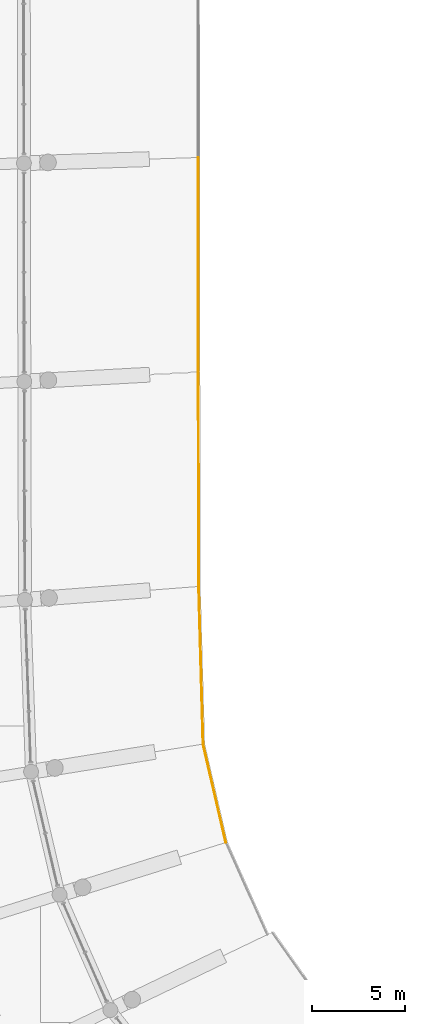
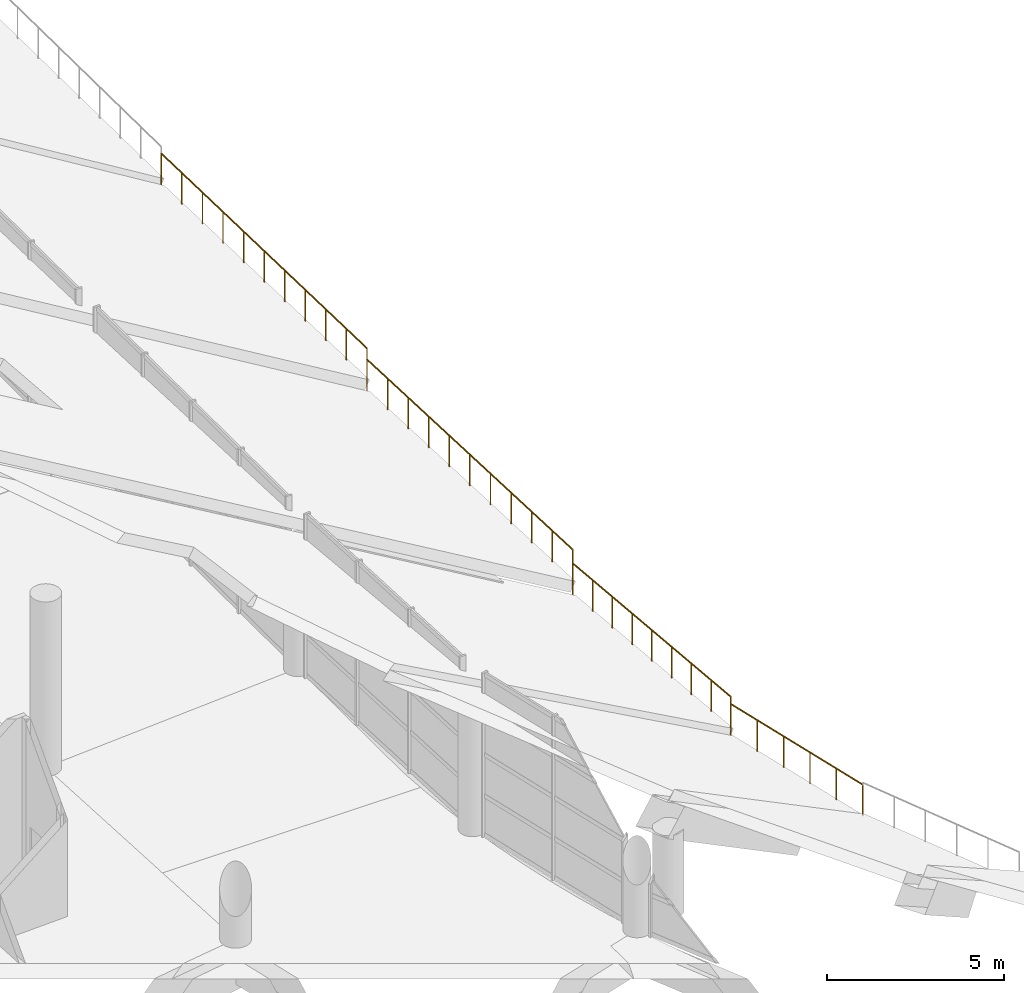
# One storey, part 211 of 249: 4 railings.
"""IFC4 building model written with IfcOpenShell, lengths in metres."""

from ifc_helpers import new_model, si_unit, direction, frame, origin, origin_2d, place, context, subcontext, project, spatial, circle, extrude, material, type_object, element, save


model = new_model("IFC4")

# Units and contexts
model_context = context("Model", 3, precision=1e-05, world=origin(), true_north=direction((0.0, 1.0)))
body_context = subcontext(model_context, "Body", "Model", "MODEL_VIEW")
ifc_project = project(units=[si_unit("LENGTHUNIT", "METRE"), si_unit("AREAUNIT", "SQUARE_METRE"), si_unit("VOLUMEUNIT", "CUBIC_METRE"), si_unit("PLANEANGLEUNIT", "RADIAN"), si_unit("MASSUNIT", "GRAM", prefix="KILO")], contexts=[model_context])

# Site, building, storey
site_placement = place(None, origin())
site = spatial("IfcSite", under=ifc_project, at=site_placement, CompositionType="ELEMENT")
building_placement = place(site_placement, origin())
building = spatial("IfcBuilding", under=site, at=building_placement, Name="Meseta Stadium", CompositionType="ELEMENT")
storey_placement = place(building_placement, frame((0.0, 0.0, 12.0)))
storey = spatial("IfcBuildingStorey", under=building, at=storey_placement, Name="L02", CompositionType="ELEMENT", Elevation=12.0)

# Railings
ifc_material = material(Name="Steel S355", Category="steel")
railing_type = type_object("IfcRailingType", Name="Stand edge guard 1100", PredefinedType="GUARDRAIL", material=ifc_material)
railing_1_placement = place(storey_placement, frame((-55.4921875, -17.351806640625, -1.091552734375)))
element("IfcRailing", 1, at=railing_1_placement, inside=storey, type_object=railing_type, Name="Stand upper tier front guard bay 35", PredefinedType="GUARDRAIL", context=body_context, shape_type="SweptSolid", body=[
    extrude(circle(Radius=0.02490234375, at=origin_2d()), frame((0.0, 0.0, 1.0751953125), z_axis=(0.00120266259, -0.999644705221, 0.026627371733), x_axis=(0.999999276288, 0.001203089171, 0.0)), (0.0, 0.0, 1.0), 11.571044921875),
    extrude(circle(Radius=0.02001953125, at=origin_2d()), origin(), (0.0, 0.0, 1.0), 1.050048828125),
    extrude(circle(Radius=0.02001953125, at=origin_2d()), frame((0.00146484375, -1.15673828125, 0.03076171875)), (0.0, 0.0, 1.0), 1.050048828125),
    extrude(circle(Radius=0.02001953125, at=origin_2d()), frame((0.002685546875, -2.3134765625, 0.0615234375)), (0.0, 0.0, 1.0), 1.050048828125),
    extrude(circle(Radius=0.02001953125, at=origin_2d()), frame((0.004150390625, -3.469970703125, 0.092529296875)), (0.0, 0.0, 1.0), 1.050048828125),
    extrude(circle(Radius=0.02001953125, at=origin_2d()), frame((0.005615234375, -4.626708984375, 0.123291015625)), (0.0, 0.0, 1.0), 1.050048828125),
    extrude(circle(Radius=0.02001953125, at=origin_2d()), frame((0.0068359375, -5.783447265625, 0.154052734375)), (0.0, 0.0, 1.0), 1.050048828125),
    extrude(circle(Radius=0.02001953125, at=origin_2d()), frame((0.00830078125, -6.940185546875, 0.184814453125)), (0.0, 0.0, 1.0), 1.050048828125),
    extrude(circle(Radius=0.02001953125, at=origin_2d()), frame((0.009765625, -8.096923828125, 0.215576171875)), (0.0, 0.0, 1.0), 1.050048828125),
    extrude(circle(Radius=0.02001953125, at=origin_2d()), frame((0.01123046875, -9.25341796875, 0.24658203125)), (0.0, 0.0, 1.0), 1.050048828125),
    extrude(circle(Radius=0.02001953125, at=origin_2d()), frame((0.012451171875, -10.41015625, 0.27734375)), (0.0, 0.0, 1.0), 1.050048828125),
    extrude(circle(Radius=0.02001953125, at=origin_2d()), frame((0.013916015625, -11.56689453125, 0.30810546875)), (0.0, 0.0, 1.0), 1.050048828125),
])
railing_2_placement = place(storey_placement, frame((-55.478271484375, -28.918701171875, -1.168212890625)))
element("IfcRailing", 2, at=railing_2_placement, inside=storey, type_object=railing_type, Name="Stand upper tier front guard bay 36", PredefinedType="GUARDRAIL", context=body_context, shape_type="SweptSolid", body=[
    extrude(circle(Radius=0.02490234375, at=origin_2d()), frame((0.0, 0.0, 1.0751953125), z_axis=(0.001792804063, -0.999203525403, 0.039863525626), x_axis=(0.999998390368, 0.001794230236, 0.0)), (0.0, 0.0, 1.0), 11.5751953125),
    extrude(circle(Radius=0.02001953125, at=origin_2d()), origin(), (0.0, 0.0, 1.0), 1.050048828125),
    extrude(circle(Radius=0.02001953125, at=origin_2d()), frame((0.001953125, -1.156494140625, 0.046142578125)), (0.0, 0.0, 1.0), 1.050048828125),
    extrude(circle(Radius=0.02001953125, at=origin_2d()), frame((0.004150390625, -2.313232421875, 0.09228515625)), (0.0, 0.0, 1.0), 1.050048828125),
    extrude(circle(Radius=0.02001953125, at=origin_2d()), frame((0.00634765625, -3.4697265625, 0.138427734375)), (0.0, 0.0, 1.0), 1.050048828125),
    extrude(circle(Radius=0.02001953125, at=origin_2d()), frame((0.00830078125, -4.62646484375, 0.1845703125)), (0.0, 0.0, 1.0), 1.050048828125),
    extrude(circle(Radius=0.02001953125, at=origin_2d()), frame((0.01025390625, -5.782958984375, 0.230712890625)), (0.0, 0.0, 1.0), 1.050048828125),
    extrude(circle(Radius=0.02001953125, at=origin_2d()), frame((0.012451171875, -6.939453125, 0.27685546875)), (0.0, 0.0, 1.0), 1.050048828125),
    extrude(circle(Radius=0.02001953125, at=origin_2d()), frame((0.014404296875, -8.09619140625, 0.322998046875)), (0.0, 0.0, 1.0), 1.050048828125),
    extrude(circle(Radius=0.02001953125, at=origin_2d()), frame((0.0166015625, -9.252685546875, 0.369140625)), (0.0, 0.0, 1.0), 1.050048828125),
    extrude(circle(Radius=0.02001953125, at=origin_2d()), frame((0.0185546875, -10.409423828125, 0.415283203125)), (0.0, 0.0, 1.0), 1.050048828125),
    extrude(circle(Radius=0.02001953125, at=origin_2d()), frame((0.020751953125, -11.56591796875, 0.46142578125)), (0.0, 0.0, 1.0), 1.050048828125),
])
railing_3_placement = place(storey_placement, frame((-55.45751953125, -40.484619140625, -1.177734375)))
element("IfcRailing", 3, at=railing_3_placement, inside=storey, type_object=railing_type, Name="Stand upper tier front guard bay 37", PredefinedType="GUARDRAIL", context=body_context, shape_type="SweptSolid", body=[
    extrude(circle(Radius=0.02490234375, at=origin_2d()), frame((0.0, 0.0, 1.0751953125), z_axis=(0.027746765401, -0.998023634035, 0.056382115232), x_axis=(0.999613756303, 0.027790973522, 0.0)), (0.0, 0.0, 1.0), 8.517333984375),
    extrude(circle(Radius=0.02001953125, at=origin_2d()), origin(), (0.0, 0.0, 1.0), 1.050048828125),
    extrude(circle(Radius=0.02001953125, at=origin_2d()), frame((0.029541015625, -1.0625, 0.06005859375)), (0.0, 0.0, 1.0), 1.050048828125),
    extrude(circle(Radius=0.02001953125, at=origin_2d()), frame((0.05908203125, -2.125, 0.1201171875)), (0.0, 0.0, 1.0), 1.050048828125),
    extrude(circle(Radius=0.02001953125, at=origin_2d()), frame((0.088623046875, -3.187744140625, 0.18017578125)), (0.0, 0.0, 1.0), 1.050048828125),
    extrude(circle(Radius=0.02001953125, at=origin_2d()), frame((0.1181640625, -4.250244140625, 0.240234375)), (0.0, 0.0, 1.0), 1.050048828125),
    extrude(circle(Radius=0.02001953125, at=origin_2d()), frame((0.147705078125, -5.312744140625, 0.300048828125)), (0.0, 0.0, 1.0), 1.050048828125),
    extrude(circle(Radius=0.02001953125, at=origin_2d()), frame((0.17724609375, -6.37548828125, 0.360107421875)), (0.0, 0.0, 1.0), 1.050048828125),
    extrude(circle(Radius=0.02001953125, at=origin_2d()), frame((0.206787109375, -7.43798828125, 0.420166015625)), (0.0, 0.0, 1.0), 1.050048828125),
    extrude(circle(Radius=0.02001953125, at=origin_2d()), frame((0.236328125, -8.50048828125, 0.480224609375)), (0.0, 0.0, 1.0), 1.050048828125),
])
railing_4_placement = place(storey_placement, frame((-55.22119140625, -48.985107421875, -0.9453125)))
element("IfcRailing", 4, at=railing_4_placement, inside=storey, type_object=railing_type, Name="Stand upper tier front guard bay 38", PredefinedType="GUARDRAIL", context=body_context, shape_type="SweptSolid", body=[
    extrude(circle(Radius=0.02490234375, at=origin_2d()), frame((0.0, 0.0, 1.0751953125), z_axis=(0.225264487262, -0.974293558319, 0.002823649562), x_axis=(0.974297442362, 0.225265385284, 0.0)), (0.0, 0.0, 1.0), 5.447265625),
    extrude(circle(Radius=0.02001953125, at=origin_2d()), origin(), (0.0, 0.0, 1.0), 1.050048828125),
    extrude(circle(Radius=0.02001953125, at=origin_2d()), frame((0.245361328125, -1.0615234375, 0.003173828125)), (0.0, 0.0, 1.0), 1.050048828125),
    extrude(circle(Radius=0.02001953125, at=origin_2d()), frame((0.49072265625, -2.122802734375, 0.006103515625)), (0.0, 0.0, 1.0), 1.050048828125),
    extrude(circle(Radius=0.02001953125, at=origin_2d()), frame((0.736328125, -3.184326171875, 0.00927734375)), (0.0, 0.0, 1.0), 1.050048828125),
    extrude(circle(Radius=0.02001953125, at=origin_2d()), frame((0.981689453125, -4.24560546875, 0.01220703125)), (0.0, 0.0, 1.0), 1.050048828125),
    extrude(circle(Radius=0.02001953125, at=origin_2d()), frame((1.22705078125, -5.30712890625, 0.015380859375)), (0.0, 0.0, 1.0), 1.050048828125),
])

save(model, "model.ifc")
